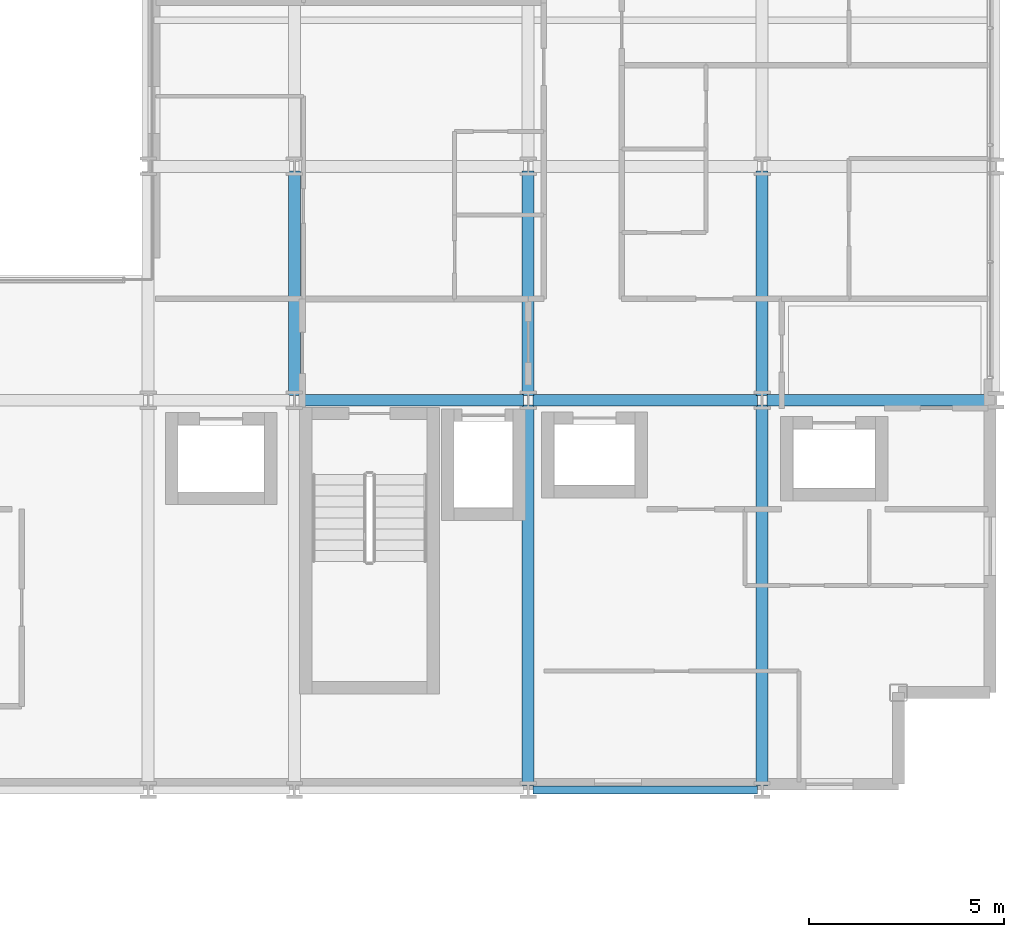
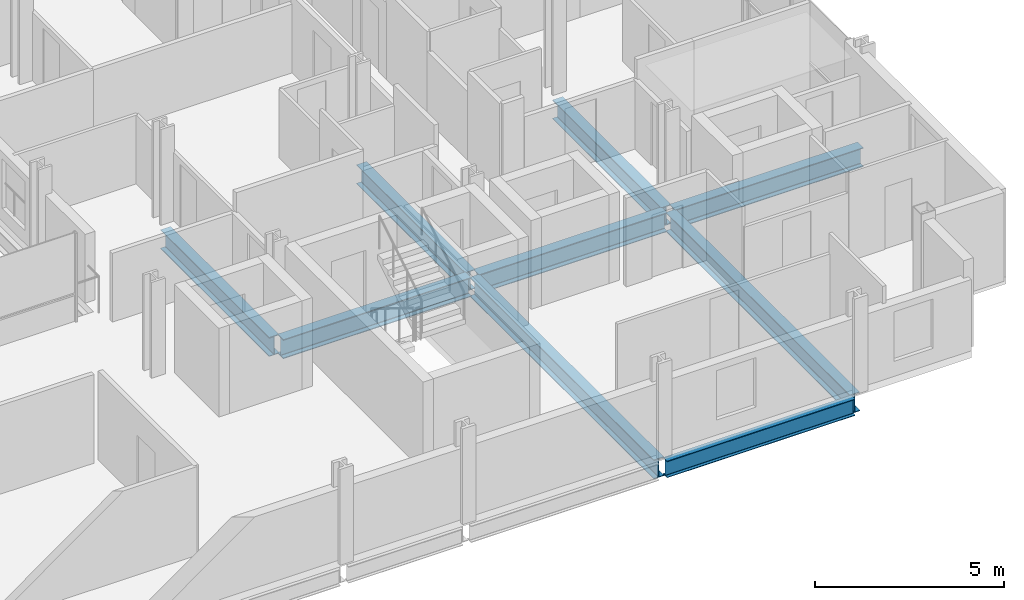
# One storey, part 14 of 40: 9 beams.
"""IFC4 building model written with IfcOpenShell, lengths in metres."""

from ifc_helpers import new_model, si_unit, direction, frame, origin, origin_2d, place, context, subcontext, project, spatial, i_section, extrude, material, material_profile, profile_set, type_object, element, save


model = new_model("IFC4")

# Units and contexts
model_context = context("Model", 3, precision=1e-05, world=origin(), true_north=direction((0.0, 1.0)))
body_context = subcontext(model_context, "Body", "Model", "MODEL_VIEW")
ifc_project = project(units=[si_unit("LENGTHUNIT", "METRE"), si_unit("AREAUNIT", "SQUARE_METRE"), si_unit("VOLUMEUNIT", "CUBIC_METRE"), si_unit("PLANEANGLEUNIT", "RADIAN"), si_unit("MASSUNIT", "GRAM", prefix="KILO")], contexts=[model_context])

# Site, building, storey
site_placement = place(None, origin())
site = spatial("IfcSite", under=ifc_project, at=site_placement, CompositionType="ELEMENT")
building_placement = place(site_placement, origin())
building = spatial("IfcBuilding", under=site, at=building_placement, Name="Brevholm Reach", CompositionType="ELEMENT")
storey_placement = place(building_placement, frame((0.0, 0.0, 31.10009765625)))
storey = spatial("IfcBuildingStorey", under=building, at=storey_placement, Name="L07", CompositionType="ELEMENT", Elevation=31.10009765625)

# Beams
ifc_material_1 = material(Name="Structural Steel S355J2", Category="steel")
ifc_material_profile_1 = material_profile(ifc_material_1, i_section(OverallWidth=0.210693359375, OverallDepth=0.53955078125, WebThickness=0.01171875, FlangeThickness=0.018798828125, FilletRadius=0.0126953125, at=origin_2d()), Name="UKB 533x210x109")
ifc_profile_set_1 = profile_set([ifc_material_profile_1], Name="Structural Steel S355J2")
beam_type_1 = type_object("IfcBeamType", Name="BM-SP539", PredefinedType="SPANDREL", material=ifc_profile_set_1)
beam_1_placement = place(storey_placement, frame((48.1201171875, 0.0, -0.499755859375), z_axis=(1.0, 0.0, 0.0), x_axis=(0.0, 1.0, 0.0)))
element("IfcBeam", 1, at=beam_1_placement, inside=storey, type_object=beam_type_1, Name="L07 SP-01B Framing Beam", PredefinedType="SPANDREL", context=body_context, shape_type="SweptSolid", body=[
    extrude(i_section(OverallWidth=0.210693359375, OverallDepth=0.53955078125, WebThickness=0.01171875, FlangeThickness=0.018798828125, FilletRadius=0.0126953125, at=origin_2d()), origin(), (0.0, 0.0, 1.0), 5.759765625),
])
ifc_material_2 = material(Name="Structural Steel S355J2", Category="steel")
ifc_material_profile_2 = material_profile(ifc_material_2, i_section(OverallWidth=0.30712890625, OverallDepth=0.6201171875, WebThickness=0.01416015625, FlangeThickness=0.023681640625, FilletRadius=0.0166015625, at=origin_2d()), Name="UKB 610x305x179")
ifc_profile_set_2 = profile_set([ifc_material_profile_2], Name="Structural Steel S355J2")
beam_type_2 = type_object("IfcBeamType", Name="BM-UKB610H", PredefinedType="USERDEFINED", material=ifc_profile_set_2)
for number, where, z_axis, x_axis, name in (
    (2, (42.1201171875, 10.0, -0.540283203125), (1.0, 0.0, 0.0), (0.0, 1.0, 0.0), "L07 G-06 Framing Beam"),
    (3, (48.1201171875, 10.0, -0.540283203125), (1.0, 0.0, 0.0), (0.0, 1.0, 0.0), "L07 G-06 Framing Beam"),
    (4, (54.1201171875, 10.0, -0.540283203125), (1.0, 0.0, 0.0), (0.0, 1.0, 0.0), "L07 G-06 Framing Beam"),
    (5, (42.0, 10.1201171875, -0.540283203125), (0.0, 1.0, 0.0), (-1.0, 0.0, 0.0), "L07 G-06 Framing Beam"),
):
    element("IfcBeam", number, at=place(storey_placement, frame(where, z_axis=z_axis, x_axis=x_axis)), inside=storey, type_object=beam_type_2, Name=name, ObjectType="GIRDER", PredefinedType="USERDEFINED", context=body_context, shape_type="SweptSolid", body=[
        extrude(i_section(OverallWidth=0.30712890625, OverallDepth=0.6201171875, WebThickness=0.01416015625, FlangeThickness=0.023681640625, FilletRadius=0.0166015625, at=origin_2d()), origin(), (0.0, 0.0, 1.0), 5.759765625),
    ])
beam_2_placement = place(storey_placement, frame((48.0, 0.1201171875, -0.540283203125), z_axis=(0.0, 1.0, 0.0), x_axis=(-1.0, 0.0, 0.0)))
element("IfcBeam", 6, at=beam_2_placement, inside=storey, type_object=beam_type_2, Name="L07 G-06 Framing Beam", ObjectType="GIRDER", PredefinedType="USERDEFINED", context=body_context, shape_type="SweptSolid", body=[
    extrude(i_section(OverallWidth=0.30712890625, OverallDepth=0.6201171875, WebThickness=0.01416015625, FlangeThickness=0.023681640625, FilletRadius=0.0166015625, at=origin_2d()), origin(), (0.0, 0.0, 1.0), 9.759765625),
])
beam_3_placement = place(storey_placement, frame((48.0, 10.1201171875, -0.540283203125), z_axis=(0.0, 1.0, 0.0), x_axis=(-1.0, 0.0, 0.0)))
element("IfcBeam", 7, at=beam_3_placement, inside=storey, type_object=beam_type_2, Name="L07 G-06 Framing Beam", ObjectType="GIRDER", PredefinedType="USERDEFINED", context=body_context, shape_type="SweptSolid", body=[
    extrude(i_section(OverallWidth=0.30712890625, OverallDepth=0.6201171875, WebThickness=0.01416015625, FlangeThickness=0.023681640625, FilletRadius=0.0166015625, at=origin_2d()), origin(), (0.0, 0.0, 1.0), 5.759765625),
])
beam_4_placement = place(storey_placement, frame((54.0, 0.1201171875, -0.540283203125), z_axis=(0.0, 1.0, 0.0), x_axis=(-1.0, 0.0, 0.0)))
element("IfcBeam", 8, at=beam_4_placement, inside=storey, type_object=beam_type_2, Name="L07 G-06 Framing Beam", ObjectType="GIRDER", PredefinedType="USERDEFINED", context=body_context, shape_type="SweptSolid", body=[
    extrude(i_section(OverallWidth=0.30712890625, OverallDepth=0.6201171875, WebThickness=0.01416015625, FlangeThickness=0.023681640625, FilletRadius=0.0166015625, at=origin_2d()), origin(), (0.0, 0.0, 1.0), 9.759765625),
])
beam_5_placement = place(storey_placement, frame((54.0, 10.1201171875, -0.540283203125), z_axis=(0.0, 1.0, 0.0), x_axis=(-1.0, 0.0, 0.0)))
element("IfcBeam", 9, at=beam_5_placement, inside=storey, type_object=beam_type_2, Name="L07 G-06 Framing Beam", ObjectType="GIRDER", PredefinedType="USERDEFINED", context=body_context, shape_type="SweptSolid", body=[
    extrude(i_section(OverallWidth=0.30712890625, OverallDepth=0.6201171875, WebThickness=0.01416015625, FlangeThickness=0.023681640625, FilletRadius=0.0166015625, at=origin_2d()), origin(), (0.0, 0.0, 1.0), 5.759765625),
])

save(model, "model.ifc")
